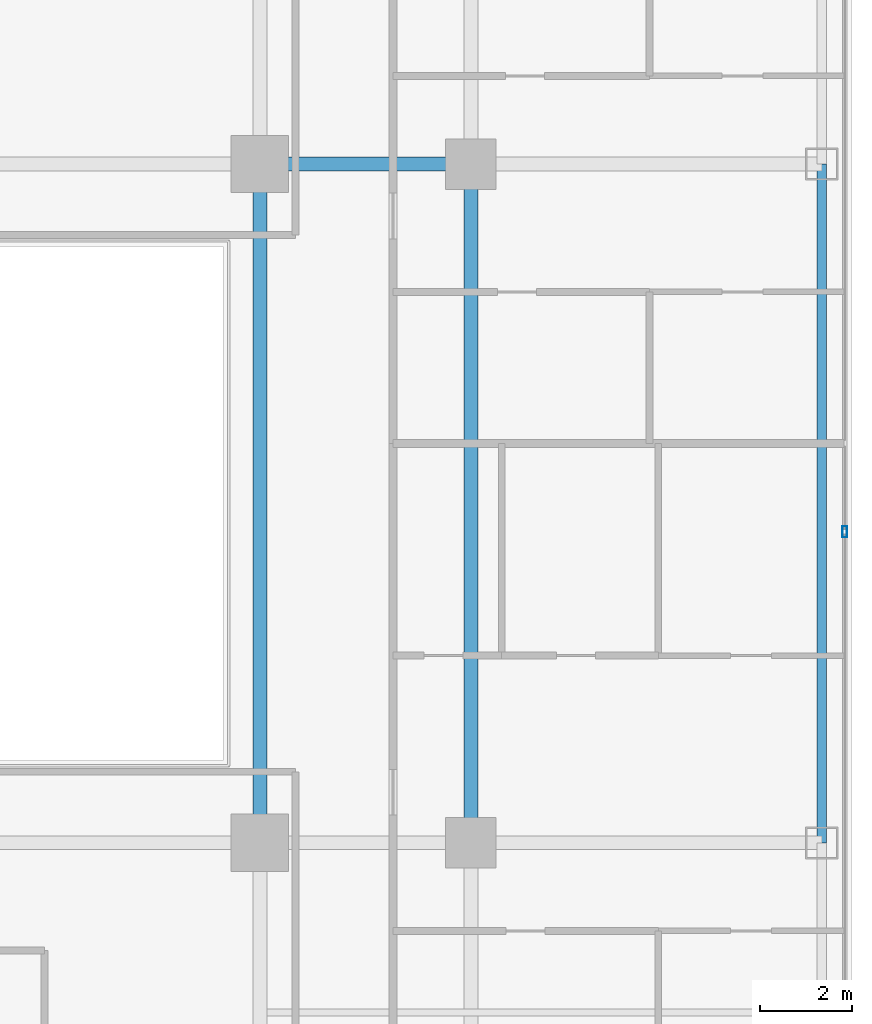
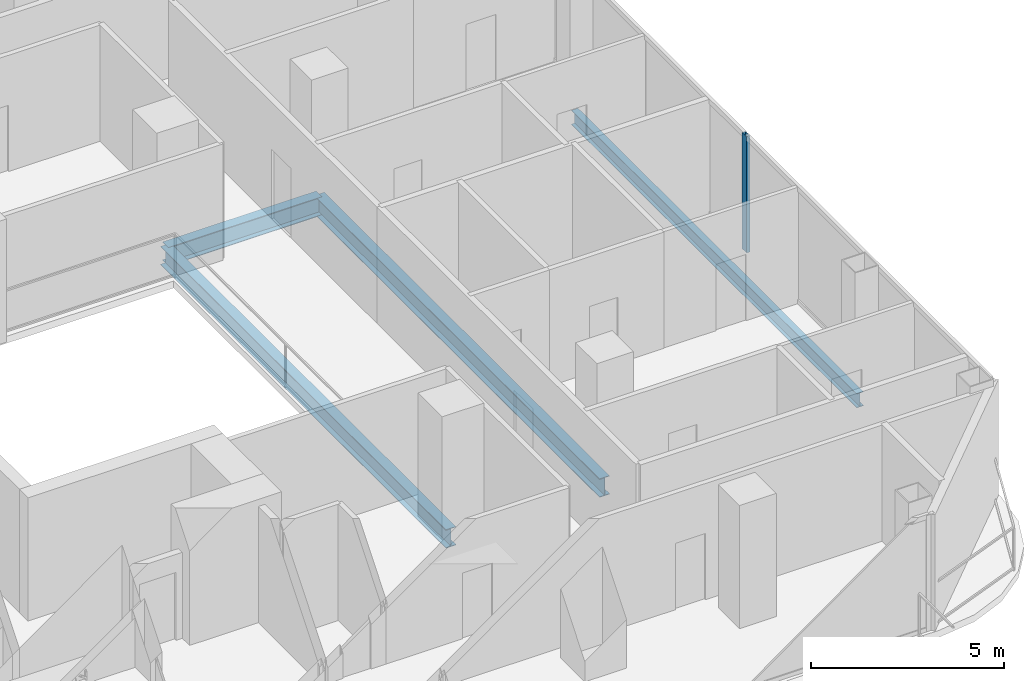
# One storey, part 10 of 27: 4 beams, 1 member, 1 element without a shape of its own.
"""IFC4 building model written with IfcOpenShell, lengths in metres."""

from ifc_helpers import new_model, si_unit, direction, frame, origin, origin_2d, place, context, subcontext, project, spatial, hollow_rectangle, i_section, extrude, material, layer, layer_set, material_profile, profile_set, type_object, element, aggregate, save


model = new_model("IFC4")

# Units and contexts
model_context = context("Model", 3, precision=1e-05, world=origin(), true_north=direction((0.0, 1.0)))
body_context = subcontext(model_context, "Body", "Model", "MODEL_VIEW")
ifc_project = project(units=[si_unit("LENGTHUNIT", "METRE"), si_unit("AREAUNIT", "SQUARE_METRE"), si_unit("VOLUMEUNIT", "CUBIC_METRE"), si_unit("PLANEANGLEUNIT", "RADIAN"), si_unit("MASSUNIT", "GRAM", prefix="KILO")], contexts=[model_context])

# Site, building, storey
site_placement = place(None, origin())
site = spatial("IfcSite", under=ifc_project, at=site_placement, CompositionType="ELEMENT")
building_placement = place(site_placement, origin())
building = spatial("IfcBuilding", under=site, at=building_placement, Name="Khorvyn Point Tower", CompositionType="ELEMENT")
storey_placement = place(building_placement, frame((0.0, 0.0, 125.10009765625)))
storey = spatial("IfcBuildingStorey", under=building, at=storey_placement, Name="L31", CompositionType="ELEMENT", Elevation=125.10009765625)

# Curtain wall, member
ifc_material_1 = material(Name="Anodised aluminium 6063-T6 and laminated Low-E glass", Category="aluminium")
ifc_layer = layer(ifc_material_1, 0.18994140625)
ifc_layer_set = layer_set([ifc_layer], Name="Stick-Built Acoustic Curtain Wall CW-SYS-03")
curtain_wall_type = type_object("IfcCurtainWallType", Name="Stick-Built Acoustic Curtain Wall CW-SYS-03", PredefinedType="NOTDEFINED", material=ifc_layer_set)
curtain_wall_placement = place(storey_placement, origin())
curtain_wall = element("IfcCurtainWall", 1, at=curtain_wall_placement, inside=storey, type_object=curtain_wall_type, Name="Curtain Wall", PredefinedType="NOTDEFINED")
ifc_material_2 = material(Name="Anodised aluminium 6063-T6", Category="aluminium")
ifc_material_profile_1 = material_profile(ifc_material_2, hollow_rectangle(XDim=0.10009765625, YDim=0.239990234375, WallThickness=0.0048828125, at=origin_2d()))
ifc_profile_set_1 = profile_set([ifc_material_profile_1], Name="Anodised aluminium 6063-T6 ALU-MUL-100x240")
member_type = type_object("IfcMemberType", Name="Anodised Aluminium 6063-T6 Mullion ALU-MUL-100x240", PredefinedType="MULLION", material=ifc_profile_set_1)
member_placement = place(storey_placement, frame((27.550048828125, -0.61669921875, 0.0), z_axis=(0.0, 0.0, 1.0), x_axis=(1.0, 0.0, 0.0)))
member = element("IfcMember", 2, at=member_placement, type_object=member_type, Name="Transom", PredefinedType="MULLION", context=body_context, shape_type="SweptSolid", body=[
    extrude(hollow_rectangle(XDim=0.10009765625, YDim=0.239990234375, WallThickness=0.0048828125, at=origin_2d()), origin(), (0.0, 0.0, 1.0), 3.679931640625),
])
aggregate(curtain_wall, [member])

# Beams
ifc_material_3 = material(Name="Steel S355", Category="steel")
ifc_material_profile_2 = material_profile(ifc_material_3, i_section(OverallWidth=0.300048828125, OverallDepth=0.587890625, WebThickness=0.011962890625, FlangeThickness=0.02001953125, at=origin_2d()))
ifc_profile_set_2 = profile_set([ifc_material_profile_2], Name="Steel S355 H588x300x12x20")
beam_type_1 = type_object("IfcBeamType", Name="Steel S355 Beam H588x300x12x20", PredefinedType="BEAM", material=ifc_profile_set_2)
beam_1_placement = place(storey_placement, frame((14.800048828125, 7.39990234375, -0.51416015625), z_axis=(1.0, 0.0, 0.0), x_axis=(0.0, 1.0, 0.0)))
element("IfcBeam", 3, at=beam_1_placement, inside=storey, type_object=beam_type_1, Name="Beam", PredefinedType="BEAM", context=body_context, shape_type="SweptSolid", body=[
    extrude(i_section(OverallWidth=0.300048828125, OverallDepth=0.587890625, WebThickness=0.011962890625, FlangeThickness=0.02001953125, at=origin_2d()), origin(), (0.0, 0.0, 1.0), 4.599853515625),
])
for number, where, z_axis, x_axis, name in (
    (4, (14.800048828125, -7.39990234375, -0.51416015625), (0.0, 1.0, 0.0), (-1.0, 0.0, 0.0), "Beam"),
    (5, (19.39990234375, -7.39990234375, -0.51416015625), (0.0, 1.0, 0.0), (-1.0, 0.0, 0.0), "Beam"),
):
    element("IfcBeam", number, at=place(storey_placement, frame(where, z_axis=z_axis, x_axis=x_axis)), inside=storey, type_object=beam_type_1, Name=name, PredefinedType="BEAM", context=body_context, shape_type="SweptSolid", body=[
        extrude(i_section(OverallWidth=0.300048828125, OverallDepth=0.587890625, WebThickness=0.011962890625, FlangeThickness=0.02001953125, at=origin_2d()), origin(), (0.0, 0.0, 1.0), 14.7998046875),
    ])
ifc_material_profile_3 = material_profile(ifc_material_3, i_section(OverallWidth=0.199951171875, OverallDepth=0.449951171875, WebThickness=0.009033203125, FlangeThickness=0.013916015625, at=origin_2d()))
ifc_profile_set_3 = profile_set([ifc_material_profile_3], Name="Steel S355 H450x200x9x14")
beam_type_2 = type_object("IfcBeamType", Name="Steel S355 Spandrel H450x200x9x14", PredefinedType="SPANDREL", material=ifc_profile_set_3)
beam_2_placement = place(storey_placement, frame((27.050048828125, -7.39990234375, -0.445068359375), z_axis=(0.0, 1.0, 0.0), x_axis=(-1.0, 0.0, 0.0)))
element("IfcBeam", 6, at=beam_2_placement, inside=storey, type_object=beam_type_2, Name="Beam", PredefinedType="SPANDREL", context=body_context, shape_type="SweptSolid", body=[
    extrude(i_section(OverallWidth=0.199951171875, OverallDepth=0.449951171875, WebThickness=0.009033203125, FlangeThickness=0.013916015625, at=origin_2d()), origin(), (0.0, 0.0, 1.0), 14.7998046875),
])

save(model, "model.ifc")
